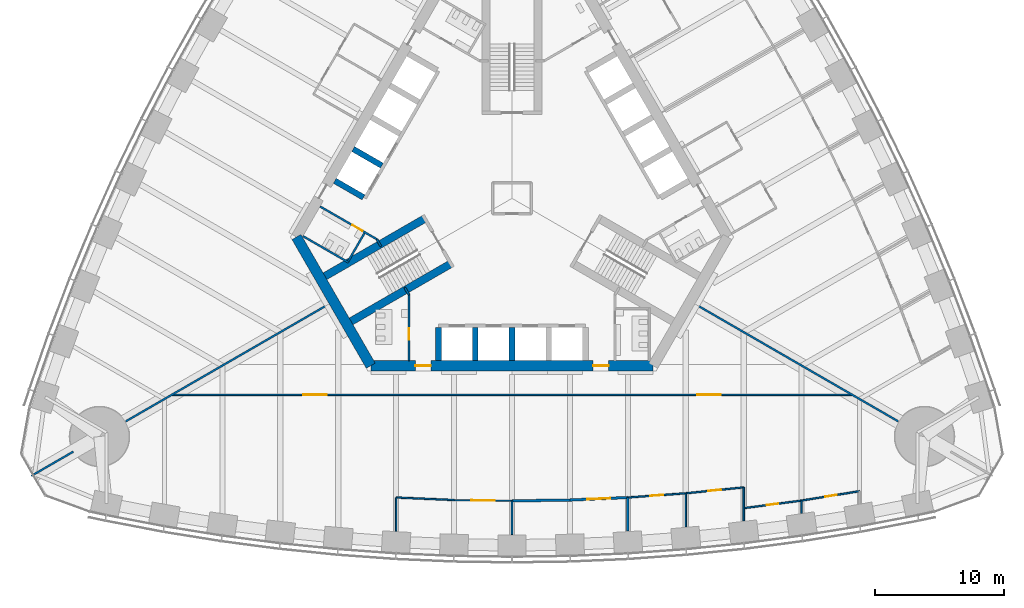
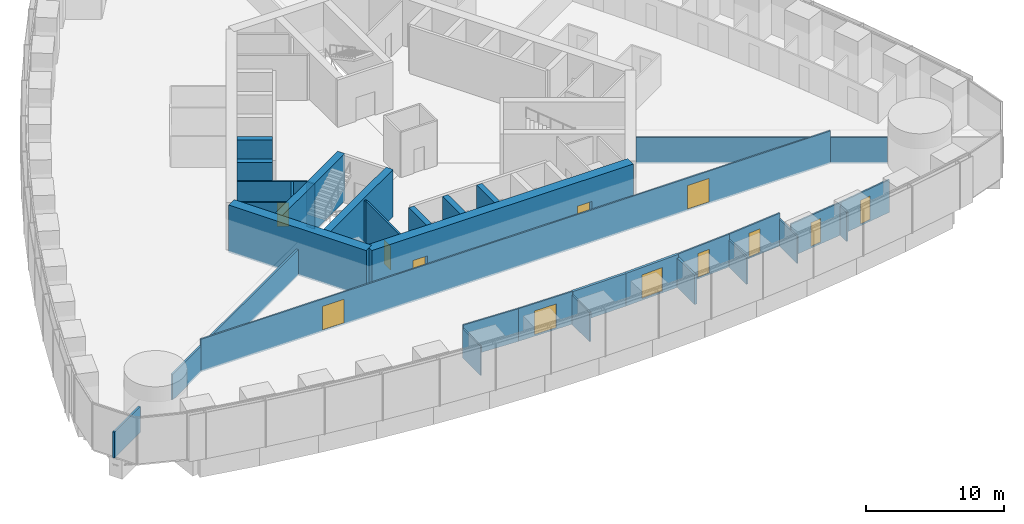
# One storey, part 10 of 19: 33 walls, 12 doors, 12 openings.
"""IFC4 building model written with IfcOpenShell, lengths in metres."""

from ifc_helpers import new_model, si_unit, direction, frame, frame_2d, origin, place, context, subcontext, project, spatial, rectangle, extrude, material, layer, layer_set, type_object, element, fill, save


model = new_model("IFC4")

# Units and contexts
model_context = context("Model", 3, precision=1e-05, world=origin(), true_north=direction((0.0, 1.0)))
body_context = subcontext(model_context, "Body", "Model", "MODEL_VIEW")
ifc_project = project(units=[si_unit("LENGTHUNIT", "METRE"), si_unit("AREAUNIT", "SQUARE_METRE"), si_unit("VOLUMEUNIT", "CUBIC_METRE"), si_unit("PLANEANGLEUNIT", "RADIAN"), si_unit("MASSUNIT", "GRAM", prefix="KILO")], contexts=[model_context])

# Site, building, storey
site_placement = place(None, origin())
site = spatial("IfcSite", under=ifc_project, at=site_placement, CompositionType="ELEMENT")
building_placement = place(site_placement, origin())
building = spatial("IfcBuilding", under=site, at=building_placement, Name="Trefoil Bronze Tower", CompositionType="ELEMENT")
storey_placement = place(building_placement, frame((0.0, 0.0, 83.699951171875)))
storey = spatial("IfcBuildingStorey", under=building, at=storey_placement, Name="L19", CompositionType="ELEMENT", Elevation=83.699951171875)

# Wall
ifc_material_1 = material(Name="Gypsum board on steel studs", Category="steel")
ifc_layer_1 = layer(ifc_material_1, 0.199951171875)
ifc_layer_set_1 = layer_set([ifc_layer_1], Name="Acoustic partition 200")
wall_type_1 = type_object("IfcWallType", Name="Acoustic partition 200", PredefinedType="PARTITIONING", material=ifc_layer_set_1)
wall_1_placement = place(storey_placement, frame((0.0, -23.498779296875, 0.0), z_axis=(0.0, 0.0, 1.0), x_axis=(0.999894311967, 0.014538393859, 0.0)))
element("IfcWall", 1, at=wall_1_placement, inside=storey, type_object=wall_type_1, Name="Partition F1 L19", PredefinedType="PARTITIONING", context=body_context, shape_type="SweptSolid", body=[
    extrude(rectangle(XDim=4.50048828125, YDim=0.199951171875, at=frame_2d((2.250244140625, 0.0))), origin(), (0.0, 0.0, 1.0), 2.900146484375),
])

# Wall, opening, door
wall_2_placement = place(storey_placement, frame((4.5, -23.433349609375, 0.0), z_axis=(0.0, 0.0, 1.0), x_axis=(0.999052370647, 0.043524254212, 0.0)))
wall_2 = element("IfcWall", 2, at=wall_2_placement, inside=storey, type_object=wall_type_1, Name="Partition F1 L19", PredefinedType="PARTITIONING", context=body_context, shape_type="SweptSolid", body=[
    extrude(rectangle(XDim=4.504150390625, YDim=0.199951171875, at=frame_2d((2.251953125, 0.0))), origin(), (0.0, 0.0, 1.0), 2.900146484375),
])
opening_1_placement = place(wall_2_placement, frame((1.35009765625, 0.0, 0.14990234375)))
opening_1 = element("IfcOpeningElement", 3, at=opening_1_placement, cuts=wall_2, Name="Opening D10", PredefinedType="OPENING", context=body_context, shape_type="SweptSolid", body=[
    extrude(rectangle(XDim=1.800048828125, YDim=2.10009765625, at=frame_2d((0.89990234375, 1.050048828125))), frame((0.0, 0.10986328125, 0.0), z_axis=(0.0, -1.0, 0.0), x_axis=(1.0, 0.0, 0.0)), (0.0, 0.0, 1.0), 0.219970703125),
])
ifc_material_2 = material(Name="Timber door", Category="wood")
door_type_1 = type_object("IfcDoorType", Name="Double door 1800", OperationType="DOUBLE_DOOR_SINGLE_SWING", PredefinedType="DOOR", material=ifc_material_2)
door_1_placement = place(opening_1_placement, frame((1.800048828125, 0.0, 0.0), z_axis=(0.0, 0.0, 1.0), x_axis=(-1.0, 0.0, 0.0)))
door_1 = element("IfcDoor", 4, at=door_1_placement, inside=storey, type_object=door_type_1, Name="Boardroom door F1 L19", OperationType="DOUBLE_DOOR_SINGLE_SWING", OverallHeight=2.10009765625, OverallWidth=1.800048828125, PredefinedType="DOOR", context=body_context, shape_type="SweptSolid", body=[
    extrude(rectangle(XDim=1.800048828125, YDim=2.10009765625, at=frame_2d((0.89990234375, 1.050048828125))), frame((0.0, 0.02490234375, 0.0), z_axis=(0.0, -1.0, 0.0), x_axis=(1.0, 0.0, 0.0)), (0.0, 0.0, 1.0), 0.050048828125),
])
fill(opening_1, door_1)

# Wall
wall_3_placement = place(storey_placement, frame((9.0, -23.2373046875, 0.0), z_axis=(0.0, 0.0, 1.0), x_axis=(0.0, -1.0, 0.0)))
element("IfcWall", 5, at=wall_3_placement, inside=storey, type_object=wall_type_1, Name="Partition F1 L19", PredefinedType="PARTITIONING", context=body_context, shape_type="SweptSolid", body=[
    extrude(rectangle(XDim=2.617431640625, YDim=0.199951171875, at=frame_2d((1.30859375, 0.0))), origin(), (0.0, 0.0, 1.0), 2.60009765625),
])

# Wall, openings, doors
ifc_material_3 = material(Name="Concrete B80", Category="concrete")
ifc_layer_2 = layer(ifc_material_3, 0.800048828125)
ifc_layer_set_2 = layer_set([ifc_layer_2], Name="Core wall 800")
wall_type_2 = type_object("IfcWallType", Name="Core wall 800", PredefinedType="SHEAR", material=ifc_layer_set_2)
wall_4_placement = place(storey_placement, frame((-10.9697265625, -13.0, 0.0), z_axis=(0.0, 0.0, 1.0), x_axis=(1.0, 0.0, 0.0)))
wall_4 = element("IfcWall", 6, at=wall_4_placement, inside=storey, type_object=wall_type_2, Name="Core long wall 1 L19", PredefinedType="SHEAR", context=body_context, shape_type="SweptSolid", body=[
    extrude(rectangle(XDim=21.939453125, YDim=0.800048828125, at=frame_2d((10.9697265625, 0.0))), origin(), (0.0, 0.0, 1.0), 4.199951171875),
])
opening_2_placement = place(wall_4_placement, frame((17.269775390625, 0.0, 0.0)))
opening_2 = element("IfcOpeningElement", 7, at=opening_2_placement, cuts=wall_4, Name="Opening D2", PredefinedType="OPENING", context=body_context, shape_type="SweptSolid", body=[
    extrude(rectangle(XDim=1.199951171875, YDim=2.10009765625, at=frame_2d((0.60009765625, 1.050048828125))), frame((0.0, 0.409912109375, 0.0), z_axis=(0.0, -1.0, 0.0), x_axis=(1.0, 0.0, 0.0)), (0.0, 0.0, 1.0), 0.820068359375),
])
opening_3_placement = place(wall_4_placement, frame((3.4697265625, 0.0, 0.0)))
opening_3 = element("IfcOpeningElement", 8, at=opening_3_placement, cuts=wall_4, Name="Opening D2", PredefinedType="OPENING", context=body_context, shape_type="SweptSolid", body=[
    extrude(rectangle(XDim=1.199951171875, YDim=2.10009765625, at=frame_2d((0.60009765625, 1.050048828125))), frame((0.0, 0.409912109375, 0.0), z_axis=(0.0, -1.0, 0.0), x_axis=(1.0, 0.0, 0.0)), (0.0, 0.0, 1.0), 0.820068359375),
])
ifc_material_4 = material(Name="Steel door", Category="steel")
door_type_2 = type_object("IfcDoorType", Name="Lobby door 1200", OperationType="SINGLE_SWING_RIGHT", PredefinedType="DOOR", material=ifc_material_4)
door_2_placement = place(opening_2_placement, origin())
door_2 = element("IfcDoor", 9, at=door_2_placement, inside=storey, type_object=door_type_2, Name="Lobby door F1+ L19", OperationType="SINGLE_SWING_RIGHT", OverallHeight=2.10009765625, OverallWidth=1.199951171875, PredefinedType="DOOR", context=body_context, shape_type="SweptSolid", body=[
    extrude(rectangle(XDim=1.199951171875, YDim=2.10009765625, at=frame_2d((0.60009765625, 1.050048828125))), frame((0.0, 0.02490234375, 0.0), z_axis=(0.0, -1.0, 0.0), x_axis=(1.0, 0.0, 0.0)), (0.0, 0.0, 1.0), 0.050048828125),
])
fill(opening_2, door_2)
door_3_placement = place(opening_3_placement, origin())
door_3 = element("IfcDoor", 10, at=door_3_placement, inside=storey, type_object=door_type_2, Name="Lobby door F1- L19", OperationType="SINGLE_SWING_LEFT", OverallHeight=2.10009765625, OverallWidth=1.199951171875, PredefinedType="DOOR", context=body_context, shape_type="SweptSolid", body=[
    extrude(rectangle(XDim=1.199951171875, YDim=2.10009765625, at=frame_2d((0.60009765625, 1.050048828125))), frame((0.0, 0.02490234375, 0.0), z_axis=(0.0, -1.0, 0.0), x_axis=(1.0, 0.0, 0.0)), (0.0, 0.0, 1.0), 0.050048828125),
])
fill(opening_3, door_3)

# Wall
wall_5_placement = place(storey_placement, frame((-16.7431640625, -3.0, 0.0), z_axis=(0.0, 0.0, 1.0), x_axis=(0.499995765644, -0.866027848477, 0.0)))
element("IfcWall", 11, at=wall_5_placement, inside=storey, type_object=wall_type_2, Name="Core short wall 3 L19", PredefinedType="SHEAR", context=body_context, shape_type="SweptSolid", body=[
    extrude(rectangle(XDim=11.546875, YDim=0.800048828125, at=frame_2d((5.7734375, 0.0))), origin(), (0.0, 0.0, 1.0), 4.199951171875),
])

# Wall, openings, doors
ifc_material_5 = material(Name="Glazed partition", Category="glass")
ifc_layer_3 = layer(ifc_material_5, 0.1201171875)
ifc_layer_set_3 = layer_set([ifc_layer_3], Name="Glazed partition 120")
wall_type_3 = type_object("IfcWallType", Name="Glazed partition 120", PredefinedType="PARTITIONING", material=ifc_layer_set_3)
wall_6_placement = place(storey_placement, frame((-26.398193359375, -15.260009765625, 0.0), z_axis=(0.0, 0.0, 1.0), x_axis=(1.0, 0.0, 0.0)))
wall_6 = element("IfcWall", 12, at=wall_6_placement, inside=storey, type_object=wall_type_3, Name="Partition F1 L19", PredefinedType="PARTITIONING", context=body_context, shape_type="SweptSolid", body=[
    extrude(rectangle(XDim=52.79638671875, YDim=0.1201171875, at=frame_2d((26.398193359375, 0.0))), origin(), (0.0, 0.0, 1.0), 2.900146484375),
])
opening_4_placement = place(wall_6_placement, frame((10.199951171875, 0.0, 0.14990234375)))
opening_4 = element("IfcOpeningElement", 13, at=opening_4_placement, cuts=wall_6, Name="Opening D10", PredefinedType="OPENING", context=body_context, shape_type="SweptSolid", body=[
    extrude(rectangle(XDim=1.800048828125, YDim=2.10009765625, at=frame_2d((0.89990234375, 1.050048828125))), frame((0.0, 0.070068359375, 0.0), z_axis=(0.0, -1.0, 0.0), x_axis=(1.0, 0.0, 0.0)), (0.0, 0.0, 1.0), 0.14013671875),
])
opening_5_placement = place(wall_6_placement, frame((40.800048828125, 0.0, 0.14990234375)))
opening_5 = element("IfcOpeningElement", 14, at=opening_5_placement, cuts=wall_6, Name="Opening D10", PredefinedType="OPENING", context=body_context, shape_type="SweptSolid", body=[
    extrude(rectangle(XDim=1.800048828125, YDim=2.10009765625, at=frame_2d((0.89990234375, 1.050048828125))), frame((0.0, 0.070068359375, 0.0), z_axis=(0.0, -1.0, 0.0), x_axis=(1.0, 0.0, 0.0)), (0.0, 0.0, 1.0), 0.14013671875),
])
door_4_placement = place(opening_4_placement, origin())
door_4 = element("IfcDoor", 15, at=door_4_placement, inside=storey, type_object=door_type_1, Name="Corridor door F1 L19", OperationType="DOUBLE_DOOR_SINGLE_SWING", OverallHeight=2.10009765625, OverallWidth=1.800048828125, PredefinedType="DOOR", context=body_context, shape_type="SweptSolid", body=[
    extrude(rectangle(XDim=1.800048828125, YDim=2.10009765625, at=frame_2d((0.89990234375, 1.050048828125))), frame((0.0, 0.02490234375, 0.0), z_axis=(0.0, -1.0, 0.0), x_axis=(1.0, 0.0, 0.0)), (0.0, 0.0, 1.0), 0.050048828125),
])
fill(opening_4, door_4)
door_5_placement = place(opening_5_placement, origin())
door_5 = element("IfcDoor", 16, at=door_5_placement, inside=storey, type_object=door_type_1, Name="Corridor door F1 L19", OperationType="DOUBLE_DOOR_SINGLE_SWING", OverallHeight=2.10009765625, OverallWidth=1.800048828125, PredefinedType="DOOR", context=body_context, shape_type="SweptSolid", body=[
    extrude(rectangle(XDim=1.800048828125, YDim=2.10009765625, at=frame_2d((0.89990234375, 1.050048828125))), frame((0.0, 0.02490234375, 0.0), z_axis=(0.0, -1.0, 0.0), x_axis=(1.0, 0.0, 0.0)), (0.0, 0.0, 1.0), 0.050048828125),
])
fill(opening_5, door_5)

# Wall, opening, door
wall_7_placement = place(storey_placement, frame((13.5, -22.909912109375, 0.0), z_axis=(0.0, 0.0, 1.0), x_axis=(0.994833141332, 0.101523499286, 0.0)))
wall_7 = element("IfcWall", 17, at=wall_7_placement, inside=storey, type_object=wall_type_3, Name="Partition F1 L19", PredefinedType="PARTITIONING", context=body_context, shape_type="SweptSolid", body=[
    extrude(rectangle(XDim=4.5234375, YDim=0.1201171875, at=frame_2d((2.26171875, 0.0))), origin(), (0.0, 0.0, 1.0), 2.900146484375),
])
opening_6_placement = place(wall_7_placement, frame((1.75, 0.0, 0.14990234375)))
opening_6 = element("IfcOpeningElement", 18, at=opening_6_placement, cuts=wall_7, Name="Opening D9", PredefinedType="OPENING", context=body_context, shape_type="SweptSolid", body=[
    extrude(rectangle(XDim=1.0, YDim=2.10009765625, at=frame_2d((0.5, 1.050048828125))), frame((0.0, 0.070068359375, 0.0), z_axis=(0.0, -1.0, 0.0), x_axis=(1.0, 0.0, 0.0)), (0.0, 0.0, 1.0), 0.14013671875),
])
ifc_material_6 = material(Name="Glazed timber door", Category="wood")
door_type_3 = type_object("IfcDoorType", Name="Meeting room door 1000", OperationType="SINGLE_SWING_LEFT", PredefinedType="DOOR", material=ifc_material_6)
door_6_placement = place(opening_6_placement, frame((1.0, 0.0, 0.0), z_axis=(0.0, 0.0, 1.0), x_axis=(-1.0, 0.0, 0.0)))
door_6 = element("IfcDoor", 19, at=door_6_placement, inside=storey, type_object=door_type_3, Name="Meeting room door F1 L19", OperationType="SINGLE_SWING_RIGHT", OverallHeight=2.10009765625, OverallWidth=1.0, PredefinedType="DOOR", context=body_context, shape_type="SweptSolid", body=[
    extrude(rectangle(XDim=1.0, YDim=2.10009765625, at=frame_2d((0.5, 1.050048828125))), frame((0.0, 0.02490234375, 0.0), z_axis=(0.0, -1.0, 0.0), x_axis=(1.0, 0.0, 0.0)), (0.0, 0.0, 1.0), 0.050048828125),
])
fill(opening_6, door_6)

wall_8_placement = place(storey_placement, frame((18.0, -24.065673828125, 0.0), z_axis=(0.0, 0.0, 1.0), x_axis=(0.991435244698, 0.130599217346, 0.0)))
wall_8 = element("IfcWall", 20, at=wall_8_placement, inside=storey, type_object=wall_type_3, Name="Partition F1 L19", PredefinedType="PARTITIONING", context=body_context, shape_type="SweptSolid", body=[
    extrude(rectangle(XDim=4.538818359375, YDim=0.1201171875, at=frame_2d((2.26953125, 0.0))), origin(), (0.0, 0.0, 1.0), 2.900146484375),
])
opening_7_placement = place(wall_8_placement, frame((1.800048828125, 0.0, 0.14990234375)))
opening_7 = element("IfcOpeningElement", 21, at=opening_7_placement, cuts=wall_8, Name="Opening D8", PredefinedType="OPENING", context=body_context, shape_type="SweptSolid", body=[
    extrude(rectangle(XDim=0.89990234375, YDim=2.10009765625, at=frame_2d((0.449951171875, 1.050048828125))), frame((0.0, 0.070068359375, 0.0), z_axis=(0.0, -1.0, 0.0), x_axis=(1.0, 0.0, 0.0)), (0.0, 0.0, 1.0), 0.14013671875),
])
ifc_material_7 = material(Name="Timber door", Category="wood")
door_type_4 = type_object("IfcDoorType", Name="Office door 900", OperationType="SINGLE_SWING_LEFT", PredefinedType="DOOR", material=ifc_material_7)
door_7_placement = place(opening_7_placement, frame((0.89990234375, 0.0, 0.0), z_axis=(0.0, 0.0, 1.0), x_axis=(-1.0, 0.0, 0.0)))
door_7 = element("IfcDoor", 22, at=door_7_placement, inside=storey, type_object=door_type_4, Name="Comms room door F1 L19", OperationType="SINGLE_SWING_RIGHT", OverallHeight=2.10009765625, OverallWidth=0.89990234375, PredefinedType="DOOR", context=body_context, shape_type="SweptSolid", body=[
    extrude(rectangle(XDim=0.89990234375, YDim=2.10009765625, at=frame_2d((0.449951171875, 1.050048828125))), frame((0.0, 0.02490234375, 0.0), z_axis=(0.0, -1.0, 0.0), x_axis=(1.0, 0.0, 0.0)), (0.0, 0.0, 1.0), 0.050048828125),
])
fill(opening_7, door_7)

wall_9_placement = place(storey_placement, frame((22.5, -23.472900390625, 0.0), z_axis=(0.0, 0.0, 1.0), x_axis=(0.987181300889, 0.159602879593, 0.0)))
wall_9 = element("IfcWall", 23, at=wall_9_placement, inside=storey, type_object=wall_type_3, Name="Partition F1 L19", PredefinedType="PARTITIONING", context=body_context, shape_type="SweptSolid", body=[
    extrude(rectangle(XDim=4.558349609375, YDim=0.1201171875, at=frame_2d((2.279296875, 0.0))), origin(), (0.0, 0.0, 1.0), 2.900146484375),
])
opening_8_placement = place(wall_9_placement, frame((1.85009765625, 0.0, 0.14990234375)))
opening_8 = element("IfcOpeningElement", 24, at=opening_8_placement, cuts=wall_9, Name="Opening D8", PredefinedType="OPENING", context=body_context, shape_type="SweptSolid", body=[
    extrude(rectangle(XDim=0.89990234375, YDim=2.10009765625, at=frame_2d((0.449951171875, 1.050048828125))), frame((0.0, 0.070068359375, 0.0), z_axis=(0.0, -1.0, 0.0), x_axis=(1.0, 0.0, 0.0)), (0.0, 0.0, 1.0), 0.14013671875),
])
door_8_placement = place(opening_8_placement, frame((0.89990234375, 0.0, 0.0), z_axis=(0.0, 0.0, 1.0), x_axis=(-1.0, 0.0, 0.0)))
door_8 = element("IfcDoor", 25, at=door_8_placement, inside=storey, type_object=door_type_4, Name="Print and store room door F1 L19", OperationType="SINGLE_SWING_LEFT", OverallHeight=2.10009765625, OverallWidth=0.89990234375, PredefinedType="DOOR", context=body_context, shape_type="SweptSolid", body=[
    extrude(rectangle(XDim=0.89990234375, YDim=2.10009765625, at=frame_2d((0.449951171875, 1.050048828125))), frame((0.0, 0.02490234375, 0.0), z_axis=(0.0, -1.0, 0.0), x_axis=(1.0, 0.0, 0.0)), (0.0, 0.0, 1.0), 0.050048828125),
])
fill(opening_8, door_8)

wall_10_placement = place(storey_placement, frame((9.0, -23.2373046875, 0.0), z_axis=(0.0, 0.0, 1.0), x_axis=(0.997363894896, 0.072562119306, 0.0)))
wall_10 = element("IfcWall", 26, at=wall_10_placement, inside=storey, type_object=wall_type_3, Name="Partition F1 L19", PredefinedType="PARTITIONING", context=body_context, shape_type="SweptSolid", body=[
    extrude(rectangle(XDim=4.511962890625, YDim=0.1201171875, at=frame_2d((2.255859375, 0.0))), origin(), (0.0, 0.0, 1.0), 2.900146484375),
])
opening_9_placement = place(wall_10_placement, frame((1.75, 0.0, 0.14990234375)))
opening_9 = element("IfcOpeningElement", 27, at=opening_9_placement, cuts=wall_10, Name="Opening D9", PredefinedType="OPENING", context=body_context, shape_type="SweptSolid", body=[
    extrude(rectangle(XDim=1.0, YDim=2.10009765625, at=frame_2d((0.5, 1.050048828125))), frame((0.0, 0.070068359375, 0.0), z_axis=(0.0, -1.0, 0.0), x_axis=(1.0, 0.0, 0.0)), (0.0, 0.0, 1.0), 0.14013671875),
])
door_9_placement = place(opening_9_placement, frame((1.0, 0.0, 0.0), z_axis=(0.0, 0.0, 1.0), x_axis=(-1.0, 0.0, 0.0)))
door_9 = element("IfcDoor", 28, at=door_9_placement, inside=storey, type_object=door_type_3, Name="Meeting room door F1 L19", OperationType="SINGLE_SWING_RIGHT", OverallHeight=2.10009765625, OverallWidth=1.0, PredefinedType="DOOR", context=body_context, shape_type="SweptSolid", body=[
    extrude(rectangle(XDim=1.0, YDim=2.10009765625, at=frame_2d((0.5, 1.050048828125))), frame((0.0, 0.02490234375, 0.0), z_axis=(0.0, -1.0, 0.0), x_axis=(1.0, 0.0, 0.0)), (0.0, 0.0, 1.0), 0.050048828125),
])
fill(opening_9, door_9)

wall_11_placement = place(storey_placement, frame((-4.5, -23.433349609375, 0.0), z_axis=(0.0, 0.0, 1.0), x_axis=(0.999894311967, -0.014538393859, 0.0)))
wall_11 = element("IfcWall", 29, at=wall_11_placement, inside=storey, type_object=wall_type_3, Name="Partition F1 L19", PredefinedType="PARTITIONING", context=body_context, shape_type="SweptSolid", body=[
    extrude(rectangle(XDim=4.50048828125, YDim=0.1201171875, at=frame_2d((2.250244140625, 0.0))), origin(), (0.0, 0.0, 1.0), 2.900146484375),
])
opening_10_placement = place(wall_11_placement, frame((1.35009765625, 0.0, 0.14990234375)))
opening_10 = element("IfcOpeningElement", 30, at=opening_10_placement, cuts=wall_11, Name="Opening D10", PredefinedType="OPENING", context=body_context, shape_type="SweptSolid", body=[
    extrude(rectangle(XDim=1.800048828125, YDim=2.10009765625, at=frame_2d((0.89990234375, 1.050048828125))), frame((0.0, 0.070068359375, 0.0), z_axis=(0.0, -1.0, 0.0), x_axis=(1.0, 0.0, 0.0)), (0.0, 0.0, 1.0), 0.14013671875),
])
door_10_placement = place(opening_10_placement, frame((1.800048828125, 0.0, 0.0), z_axis=(0.0, 0.0, 1.0), x_axis=(-1.0, 0.0, 0.0)))
door_10 = element("IfcDoor", 31, at=door_10_placement, inside=storey, type_object=door_type_1, Name="Kitchen and breakout door F1 L19", OperationType="DOUBLE_DOOR_SINGLE_SWING", OverallHeight=2.10009765625, OverallWidth=1.800048828125, PredefinedType="DOOR", context=body_context, shape_type="SweptSolid", body=[
    extrude(rectangle(XDim=1.800048828125, YDim=2.10009765625, at=frame_2d((0.89990234375, 1.050048828125))), frame((0.0, 0.02490234375, 0.0), z_axis=(0.0, -1.0, 0.0), x_axis=(1.0, 0.0, 0.0)), (0.0, 0.0, 1.0), 0.050048828125),
])
fill(opening_10, door_10)

# Walls
wall_12_placement = place(storey_placement, frame((-9.0, -23.2373046875, 0.0), z_axis=(0.0, 0.0, 1.0), x_axis=(0.999052370647, -0.043524254212, 0.0)))
element("IfcWall", 32, at=wall_12_placement, inside=storey, type_object=wall_type_3, Name="Partition F1 L19", PredefinedType="PARTITIONING", context=body_context, shape_type="SweptSolid", body=[
    extrude(rectangle(XDim=4.504150390625, YDim=0.1201171875, at=frame_2d((2.251953125, 0.0))), origin(), (0.0, 0.0, 1.0), 2.900146484375),
])
wall_13_placement = place(storey_placement, frame((0.0, -23.498779296875, 0.0), z_axis=(0.0, 0.0, 1.0), x_axis=(0.0, -1.0, 0.0)))
element("IfcWall", 33, at=wall_13_placement, inside=storey, type_object=wall_type_3, Name="Partition F1 L19", PredefinedType="PARTITIONING", context=body_context, shape_type="SweptSolid", body=[
    extrude(rectangle(XDim=2.619873046875, YDim=0.1201171875, at=frame_2d((1.31005859375, 0.0))), origin(), (0.0, 0.0, 1.0), 2.60009765625),
])
wall_14_placement = place(storey_placement, frame((13.5, -22.909912109375, 0.0), z_axis=(0.0, 0.0, 1.0), x_axis=(0.0, -1.0, 0.0)))
element("IfcWall", 34, at=wall_14_placement, inside=storey, type_object=wall_type_3, Name="Partition F1 L19", PredefinedType="PARTITIONING", context=body_context, shape_type="SweptSolid", body=[
    extrude(rectangle(XDim=2.614013671875, YDim=0.1201171875, at=frame_2d((1.30712890625, 0.0))), origin(), (0.0, 0.0, 1.0), 2.400146484375),
])
wall_15_placement = place(storey_placement, frame((18.0, -22.45068359375, 0.0), z_axis=(0.0, 0.0, 1.0), x_axis=(0.0, -1.0, 0.0)))
element("IfcWall", 35, at=wall_15_placement, inside=storey, type_object=wall_type_3, Name="Partition F1 L19", PredefinedType="PARTITIONING", context=body_context, shape_type="SweptSolid", body=[
    extrude(rectangle(XDim=2.60888671875, YDim=0.1201171875, at=frame_2d((1.304443359375, 0.0))), origin(), (0.0, 0.0, 1.0), 2.400146484375),
])
wall_16_placement = place(storey_placement, frame((22.5, -23.472900390625, 0.0), z_axis=(0.0, 0.0, 1.0), x_axis=(0.0, -1.0, 0.0)))
element("IfcWall", 36, at=wall_16_placement, inside=storey, type_object=wall_type_3, Name="Partition F1 L19", PredefinedType="PARTITIONING", context=body_context, shape_type="SweptSolid", body=[
    extrude(rectangle(XDim=0.98779296875, YDim=0.1201171875, at=frame_2d((0.493896484375, 0.0))), origin(), (0.0, 0.0, 1.0), 2.60009765625),
])
wall_17_placement = place(storey_placement, frame((-9.0, -23.2373046875, 0.0), z_axis=(0.0, 0.0, 1.0), x_axis=(0.0, -1.0, 0.0)))
element("IfcWall", 37, at=wall_17_placement, inside=storey, type_object=wall_type_3, Name="Partition F1 L19", PredefinedType="PARTITIONING", context=body_context, shape_type="SweptSolid", body=[
    extrude(rectangle(XDim=2.617431640625, YDim=0.1201171875, at=frame_2d((1.30859375, 0.0))), origin(), (0.0, 0.0, 1.0), 2.60009765625),
])
ifc_material_8 = material(Name="Concrete B80", Category="concrete")
ifc_layer_4 = layer(ifc_material_8, 0.449951171875)
ifc_layer_set_4 = layer_set([ifc_layer_4], Name="Outrigger shaft wall 450")
wall_type_4 = type_object("IfcWallType", Name="Outrigger shaft wall 450", PredefinedType="SHEAR", material=ifc_layer_set_4)
for number, where, z_axis, x_axis, name in (
    (38, (-5.699951171875, -10.02490234375, 0.0), (0.0, 0.0, 1.0), (0.0, -1.0, 0.0), "Lift shaft side wall A0 L19"),
    (39, (-2.85009765625, -10.02490234375, 0.0), (0.0, 0.0, 1.0), (0.0, -1.0, 0.0), "Lift shaft side wall A1 L19"),
    (40, (0.0, -10.02490234375, 0.0), (0.0, 0.0, 1.0), (0.0, -1.0, 0.0), "Lift shaft side wall A2 L19"),
):
    element("IfcWall", number, at=place(storey_placement, frame(where, z_axis=z_axis, x_axis=x_axis)), inside=storey, type_object=wall_type_4, Name=name, PredefinedType="SHEAR", context=body_context, shape_type="SweptSolid", body=[
        extrude(rectangle(XDim=2.5751953125, YDim=0.449951171875, at=frame_2d((1.28759765625, 0.0))), origin(), (0.0, 0.0, 1.0), 4.199951171875),
    ])
for number, where, z_axis, x_axis, name in (
    (41, (-10.10693359375, 2.54443359375, 0.0), (0.0, 0.0, 1.0), (-0.866046643894, 0.499963209246, 0.0), "Lift shaft side wall C3 L19"),
    (42, (-11.531982421875, 0.076171875, 0.0), (0.0, 0.0, 1.0), (-0.866005588531, 0.500034319456, 0.0), "Lift shaft side wall C4 L19"),
):
    element("IfcWall", number, at=place(storey_placement, frame(where, z_axis=z_axis, x_axis=x_axis)), inside=storey, type_object=wall_type_4, Name=name, PredefinedType="SHEAR", context=body_context, shape_type="SweptSolid", body=[
        extrude(rectangle(XDim=2.574951171875, YDim=0.449951171875, at=frame_2d((1.28759765625, 0.0))), origin(), (0.0, 0.0, 1.0), 4.199951171875),
    ])

# Wall, opening, door
ifc_material_9 = material(Name="Gypsum board on steel studs", Category="steel")
ifc_layer_5 = layer(ifc_material_9, 0.14990234375)
ifc_layer_set_5 = layer_set([ifc_layer_5], Name="Partition 150")
wall_type_5 = type_object("IfcWallType", Name="Partition 150", PredefinedType="PARTITIONING", material=ifc_layer_set_5)
wall_18_placement = place(storey_placement, frame((-8.0, -7.5, 0.0), z_axis=(0.0, 0.0, 1.0), x_axis=(0.0, -1.0, 0.0)))
wall_18 = element("IfcWall", 43, at=wall_18_placement, inside=storey, type_object=wall_type_5, Name="Passage wall F1- L19", PredefinedType="PARTITIONING", context=body_context, shape_type="SweptSolid", body=[
    extrude(rectangle(XDim=5.10009765625, YDim=0.14990234375, at=frame_2d((2.550048828125, 0.0))), origin(), (0.0, 0.0, 1.0), 4.0),
])
opening_11_placement = place(wall_18_placement, frame((2.60009765625, 0.0, 0.0)))
opening_11 = element("IfcOpeningElement", 44, at=opening_11_placement, cuts=wall_18, Name="Opening D3", PredefinedType="OPENING", context=body_context, shape_type="SweptSolid", body=[
    extrude(rectangle(XDim=0.89990234375, YDim=2.10009765625, at=frame_2d((0.449951171875, 1.050048828125))), frame((0.0, 0.0849609375, 0.0), z_axis=(0.0, -1.0, 0.0), x_axis=(1.0, 0.0, 0.0)), (0.0, 0.0, 1.0), 0.169921875),
])
ifc_material_10 = material(Name="Timber door", Category="wood")
door_type_5 = type_object("IfcDoorType", Name="WC door 900", OperationType="SINGLE_SWING_LEFT", PredefinedType="DOOR", material=ifc_material_10)
door_11_placement = place(opening_11_placement, frame((0.89990234375, 0.0, 0.0), z_axis=(0.0, 0.0, 1.0), x_axis=(-1.0, 0.0, 0.0)))
door_11 = element("IfcDoor", 45, at=door_11_placement, inside=storey, type_object=door_type_5, Name="WC (women) door L19", OperationType="SINGLE_SWING_LEFT", OverallHeight=2.10009765625, OverallWidth=0.89990234375, PredefinedType="DOOR", context=body_context, shape_type="SweptSolid", body=[
    extrude(rectangle(XDim=0.89990234375, YDim=2.10009765625, at=frame_2d((0.449951171875, 1.050048828125))), frame((0.0, 0.02490234375, 0.0), z_axis=(0.0, -1.0, 0.0), x_axis=(1.0, 0.0, 0.0)), (0.0, 0.0, 1.0), 0.050048828125),
])
fill(opening_11, door_11)

wall_19_placement = place(storey_placement, frame((-10.4951171875, -3.17822265625, 0.0), z_axis=(0.0, 0.0, 1.0), x_axis=(-0.86602216432, 0.500005610874, 0.0)))
wall_19 = element("IfcWall", 46, at=wall_19_placement, inside=storey, type_object=wall_type_5, Name="Passage wall F3+ L19", PredefinedType="PARTITIONING", context=body_context, shape_type="SweptSolid", body=[
    extrude(rectangle(XDim=5.10009765625, YDim=0.14990234375, at=frame_2d((2.550048828125, 0.0))), origin(), (0.0, 0.0, 1.0), 4.0),
])
opening_12_placement = place(wall_19_placement, frame((1.300048828125, 0.0, 0.0)))
opening_12 = element("IfcOpeningElement", 47, at=opening_12_placement, cuts=wall_19, Name="Opening D3", PredefinedType="OPENING", context=body_context, shape_type="SweptSolid", body=[
    extrude(rectangle(XDim=0.89990234375, YDim=2.10009765625, at=frame_2d((0.449951171875, 1.050048828125))), frame((0.0, 0.0849609375, 0.0), z_axis=(0.0, -1.0, 0.0), x_axis=(1.0, 0.0, 0.0)), (0.0, 0.0, 1.0), 0.169921875),
])
door_12_placement = place(opening_12_placement, origin())
door_12 = element("IfcDoor", 48, at=door_12_placement, inside=storey, type_object=door_type_5, Name="WC (men) door L19", OperationType="SINGLE_SWING_LEFT", OverallHeight=2.10009765625, OverallWidth=0.89990234375, PredefinedType="DOOR", context=body_context, shape_type="SweptSolid", body=[
    extrude(rectangle(XDim=0.89990234375, YDim=2.10009765625, at=frame_2d((0.449951171875, 1.050048828125))), frame((0.0, 0.02490234375, 0.0), z_axis=(0.0, -1.0, 0.0), x_axis=(1.0, 0.0, 0.0)), (0.0, 0.0, 1.0), 0.050048828125),
])
fill(opening_12, door_12)

# Walls
for number, where, z_axis, x_axis, name in (
    (49, (-10.4951171875, -3.17822265625, 0.0), (0.0, 0.0, 1.0), (0.499842556608, -0.866116284689, 0.0), "WC wall ST3-1 L19"),
    (50, (-8.0, -7.5, 0.0), (0.0, 0.0, 1.0), (-0.499842556608, 0.866116284689, 0.0), "WC wall ST3+1 L19"),
):
    element("IfcWall", number, at=place(storey_placement, frame(where, z_axis=z_axis, x_axis=x_axis)), inside=storey, type_object=wall_type_5, Name=name, PredefinedType="PARTITIONING", context=body_context, shape_type="SweptSolid", body=[
        extrude(rectangle(XDim=0.645263671875, YDim=0.14990234375, at=frame_2d((0.32275390625, 0.0))), origin(), (0.0, 0.0, 1.0), 4.0),
    ])
wall_20_placement = place(storey_placement, frame((-12.691162109375, -4.98193359375, 0.0), z_axis=(0.0, 0.0, 1.0), x_axis=(-0.8660249478, 0.500000789788, 0.0)))
element("IfcWall", 51, at=wall_20_placement, inside=storey, type_object=wall_type_5, Name="WC partition WC (men) L19", PredefinedType="PARTITIONING", context=body_context, shape_type="SweptSolid", body=[
    extrude(rectangle(XDim=4.10009765625, YDim=0.14990234375, at=frame_2d((2.050048828125, 0.0))), origin(), (0.0, 0.0, 1.0), 4.0),
])
wall_21_placement = place(storey_placement, frame((-11.463623046875, -2.70556640625, 0.0), z_axis=(0.0, 0.0, 1.0), x_axis=(-0.50001992892, -0.866013897511, 0.0)))
element("IfcWall", 52, at=wall_21_placement, inside=storey, type_object=wall_type_5, Name="WC partition WC (men) L19", PredefinedType="PARTITIONING", context=body_context, shape_type="SweptSolid", body=[
    extrude(rectangle(XDim=2.51025390625, YDim=0.14990234375, at=frame_2d((1.255126953125, 0.0))), origin(), (0.0, 0.0, 1.0), 4.0),
])
ifc_material_11 = material(Name="Gypsum board on steel studs", Category="steel")
ifc_layer_6 = layer(ifc_material_11, 0.14990234375)
ifc_layer_set_6 = layer_set([ifc_layer_6], Name="Party wall 150")
wall_type_6 = type_object("IfcWallType", Name="Party wall 150", PredefinedType="PARTITIONING", material=ifc_layer_set_6)
for number, where, z_axis, x_axis, name in (
    (53, (14.202880859375, -8.199951171875, 0.0), (0.0, 0.0, 1.0), (0.866024965723, -0.500000758745, 0.0), "Party wall K1 L19"),
    (54, (-14.202880859375, -8.199951171875, 0.0), (0.0, 0.0, 1.0), (-0.866024965723, -0.500000758745, 0.0), "Party wall K3 L19"),
):
    element("IfcWall", number, at=place(storey_placement, frame(where, z_axis=z_axis, x_axis=x_axis)), inside=storey, type_object=wall_type_6, Name=name, PredefinedType="PARTITIONING", context=body_context, shape_type="SweptSolid", body=[
        extrude(rectangle(XDim=18.25, YDim=0.14990234375, at=frame_2d((9.125, 0.0))), origin(), (0.0, 0.0, 1.0), 2.300048828125),
    ])
wall_22_placement = place(storey_placement, frame((-34.078125, -19.675048828125, 0.0), z_axis=(0.0, 0.0, 1.0), x_axis=(-0.866019247219, -0.500010663332, 0.0)))
element("IfcWall", 55, at=wall_22_placement, inside=storey, type_object=wall_type_6, Name="Party wall K3 L19", PredefinedType="PARTITIONING", context=body_context, shape_type="SweptSolid", body=[
    extrude(rectangle(XDim=3.76416015625, YDim=0.14990234375, at=frame_2d((1.882080078125, 0.0))), origin(), (0.0, 0.0, 1.0), 2.300048828125),
])
ifc_material_12 = material(Name="Concrete B80", Category="concrete")
ifc_layer_7 = layer(ifc_material_12, 0.60009765625)
ifc_layer_set_7 = layer_set([ifc_layer_7], Name="Stair wall 600")
wall_type_7 = type_object("IfcWallType", Name="Stair wall 600", PredefinedType="SHEAR", material=ifc_layer_set_7)
for number, where, z_axis, x_axis, name in (
    (56, (-6.663330078125, -1.5087890625, 0.0), (0.0, 0.0, 1.0), (-0.866019375473, -0.500010441196, 0.0), "Stair wall ST3 L19"),
    (57, (-4.638427734375, -5.01611328125, 0.0), (0.0, 0.0, 1.0), (-0.866019375473, -0.500010441196, 0.0), "Stair wall ST3 L19"),
):
    element("IfcWall", number, at=place(storey_placement, frame(where, z_axis=z_axis, x_axis=x_axis)), inside=storey, type_object=wall_type_7, Name=name, PredefinedType="SHEAR", context=body_context, shape_type="SweptSolid", body=[
        extrude(rectangle(XDim=9.074951171875, YDim=0.60009765625, at=frame_2d((4.53759765625, 0.0))), origin(), (0.0, 0.0, 1.0), 4.199951171875),
    ])

save(model, "model.ifc")
